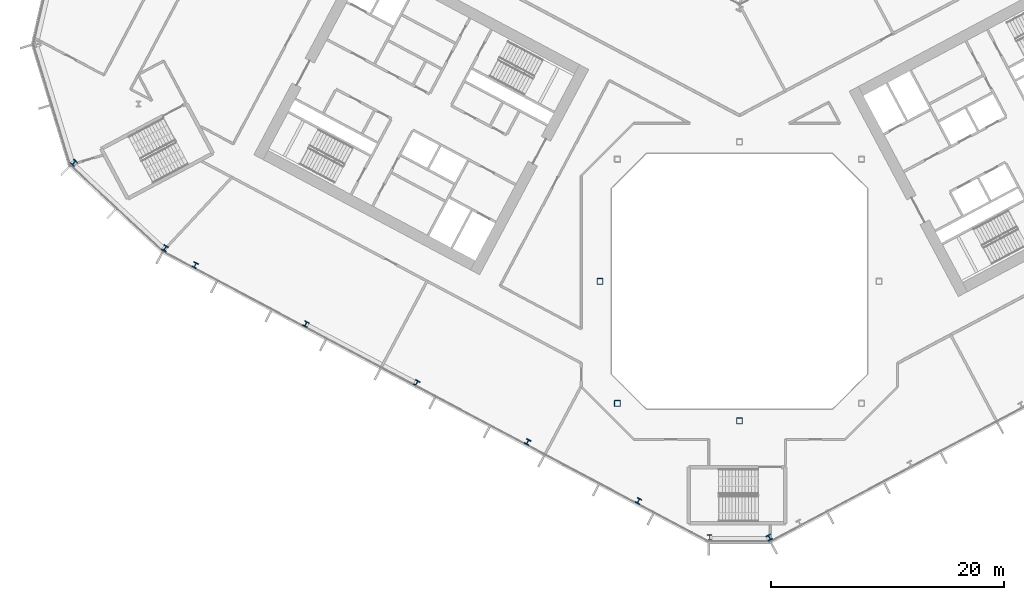
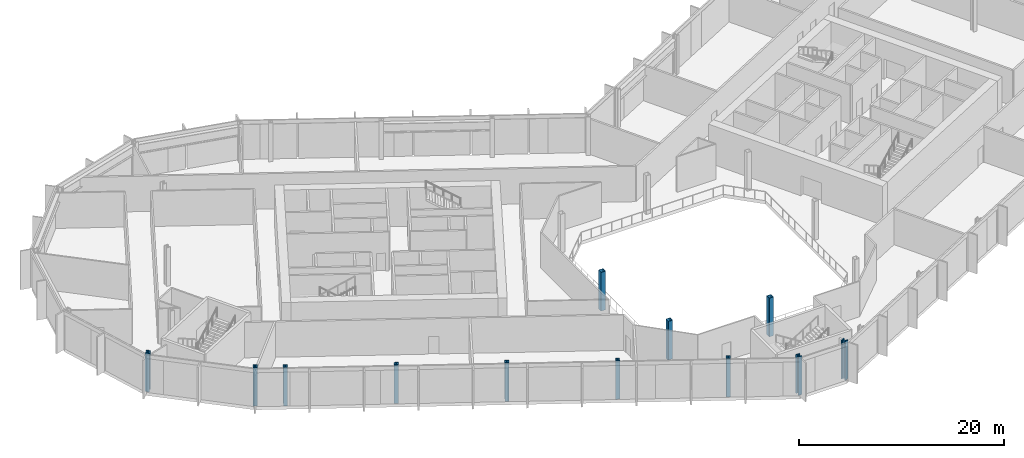
# One storey, part 1 of 31: 12 columns.
"""IFC4 building model written with IfcOpenShell, lengths in metres."""

from ifc_helpers import new_model, si_unit, direction, frame, origin, origin_2d, place, context, subcontext, project, spatial, hollow_rectangle, i_section, extrude, material, material_profile, profile_set, type_object, element, save


model = new_model("IFC4")

# Units and contexts
model_context = context("Model", 3, precision=1e-05, world=origin(), true_north=direction((0.0, 1.0)))
body_context = subcontext(model_context, "Body", "Model", "MODEL_VIEW")
ifc_project = project(units=[si_unit("LENGTHUNIT", "METRE"), si_unit("AREAUNIT", "SQUARE_METRE"), si_unit("VOLUMEUNIT", "CUBIC_METRE"), si_unit("PLANEANGLEUNIT", "RADIAN"), si_unit("MASSUNIT", "GRAM", prefix="KILO")], contexts=[model_context])

# Site, building, storey
site_placement = place(None, origin())
site = spatial("IfcSite", under=ifc_project, at=site_placement, CompositionType="ELEMENT")
building_placement = place(site_placement, origin())
building = spatial("IfcBuilding", under=site, at=building_placement, Name="Cormorant Relay Tower", CompositionType="ELEMENT")
storey_placement = place(building_placement, frame((0.0, 0.0, 98.39990234375)))
storey = spatial("IfcBuildingStorey", under=building, at=storey_placement, Name="L19", CompositionType="ELEMENT", Elevation=98.39990234375)

# Columns
ifc_material_1 = material(Name="Steel ASTM A500 Grade C (Fy 345 MPa)", Category="steel")
ifc_material_profile_1 = material_profile(ifc_material_1, hollow_rectangle(XDim=0.508056640625, YDim=0.508056640625, WallThickness=0.020751953125, InnerFilletRadius=0.01025390625, OuterFilletRadius=0.031005859375, at=origin_2d()), Name="HSS508x508x21")
ifc_profile_set_1 = profile_set([ifc_material_profile_1], Name="Steel ASTM A500 Grade C (Fy 345 MPa)")
column_type_1 = type_object("IfcColumnType", Name="Column HSS508x508x21", PredefinedType="COLUMN", material=ifc_profile_set_1)
for number, where, z_axis, x_axis, name in (
    (1, (0.0, -12.0, 0.0), (0.0, 0.0, 1.0), (1.0, 0.0, 0.0), "Column L19-007"),
    (2, (-10.5, -10.5, 0.0), (0.0, 0.0, 1.0), (1.0, 0.0, 0.0), "Column L19-009"),
    (3, (-12.0, 0.0, 0.0), (0.0, 0.0, 1.0), (1.0, 0.0, 0.0), "Column L19-015"),
):
    element("IfcColumn", number, at=place(storey_placement, frame(where, z_axis=z_axis, x_axis=x_axis)), inside=storey, type_object=column_type_1, Name=name, PredefinedType="COLUMN", context=body_context, shape_type="SweptSolid", body=[
        extrude(hollow_rectangle(XDim=0.508056640625, YDim=0.508056640625, WallThickness=0.020751953125, InnerFilletRadius=0.01025390625, OuterFilletRadius=0.031005859375, at=origin_2d()), origin(), (0.0, 0.0, 1.0), 4.60009765625),
    ])
ifc_material_2 = material(Name="Steel ASTM A992 (Fy 345 MPa)", Category="steel")
ifc_material_profile_2 = material_profile(ifc_material_2, i_section(OverallWidth=0.42431640625, OverallDepth=0.47509765625, WebThickness=0.0478515625, FlangeThickness=0.0771484375, FilletRadius=0.014892578125, at=origin_2d()), Name="W360x634")
ifc_profile_set_2 = profile_set([ifc_material_profile_2], Name="Steel ASTM A992 (Fy 345 MPa)")
column_type_2 = type_object("IfcColumnType", Name="Column W360x634", PredefinedType="COLUMN", material=ifc_profile_set_2)
for number, where, z_axis, x_axis, name in (
    (4, (-8.68701171875, -18.89306640625, 0.0), (0.0, 0.0, 1.0), (0.882947592859, -0.469471562786, 0.0), "Column L19-004"),
    (5, (-18.222900390625, -13.822998046875, 0.0), (0.0, 0.0, 1.0), (0.882947592859, -0.469471562786, 0.0), "Column L19-006"),
    (6, (-27.758056640625, -8.7529296875, 0.0), (0.0, 0.0, 1.0), (0.882947592859, -0.469471562786, 0.0), "Column L19-011"),
    (7, (-37.2939453125, -3.681884765625, 0.0), (0.0, 0.0, 1.0), (0.882947592859, -0.469471562786, 0.0), "Column L19-013"),
    (8, (-46.830078125, 1.387939453125, 0.0), (0.0, 0.0, 1.0), (0.882947592859, -0.469471562786, 0.0), "Column L19-017"),
):
    element("IfcColumn", number, at=place(storey_placement, frame(where, z_axis=z_axis, x_axis=x_axis)), inside=storey, type_object=column_type_2, Name=name, PredefinedType="COLUMN", context=body_context, shape_type="SweptSolid", body=[
        extrude(i_section(OverallWidth=0.42431640625, OverallDepth=0.47509765625, WebThickness=0.0478515625, FlangeThickness=0.0771484375, FilletRadius=0.014892578125, at=origin_2d()), origin(), (0.0, 0.0, 1.0), 4.60009765625),
    ])
ifc_material_3 = material(Name="Steel ASTM A992 (Fy 345 MPa)", Category="steel")
ifc_material_profile_3 = material_profile(ifc_material_3, i_section(OverallWidth=0.43701171875, OverallDepth=0.51318359375, WebThickness=0.060546875, FlangeThickness=0.096923828125, FilletRadius=0.015380859375, at=origin_2d()), Name="W360x818")
ifc_profile_set_3 = profile_set([ifc_material_profile_3], Name="Steel ASTM A992 (Fy 345 MPa)")
column_type_3 = type_object("IfcColumnType", Name="Column W360x818", PredefinedType="COLUMN", material=ifc_profile_set_3)
for number, where, z_axis, x_axis, name in (
    (9, (-2.56689453125, -22.0458984375, 0.0), (0.0, 0.0, 1.0), (1.0, 0.0, 0.0), "Column L19-001"),
    (10, (2.56689453125, -22.0458984375, 0.0), (0.0, 0.0, 1.0), (0.882947592859, 0.469471562786, 0.0), "Column L19-002"),
    (11, (-49.412109375, 2.8369140625, 0.0), (0.0, 0.0, 1.0), (0.882947592859, -0.469471562786, 0.0), "Column L19-018"),
    (12, (-57.2451171875, 10.18310546875, 0.0), (0.0, 0.0, 1.0), (0.731353701619, -0.681998360062, 0.0), "Column L19-021"),
):
    element("IfcColumn", number, at=place(storey_placement, frame(where, z_axis=z_axis, x_axis=x_axis)), inside=storey, type_object=column_type_3, Name=name, PredefinedType="COLUMN", context=body_context, shape_type="SweptSolid", body=[
        extrude(i_section(OverallWidth=0.43701171875, OverallDepth=0.51318359375, WebThickness=0.060546875, FlangeThickness=0.096923828125, FilletRadius=0.015380859375, at=origin_2d()), origin(), (0.0, 0.0, 1.0), 4.60009765625),
    ])

save(model, "model.ifc")
